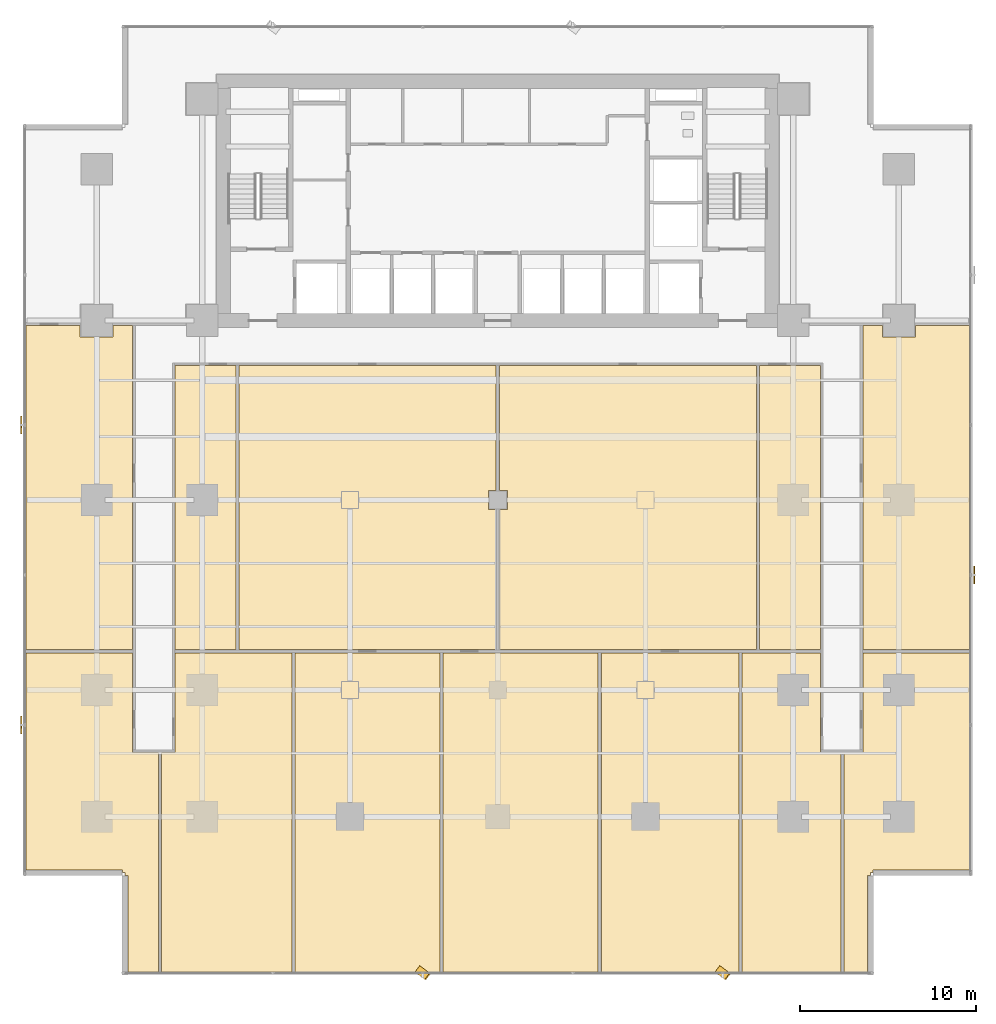
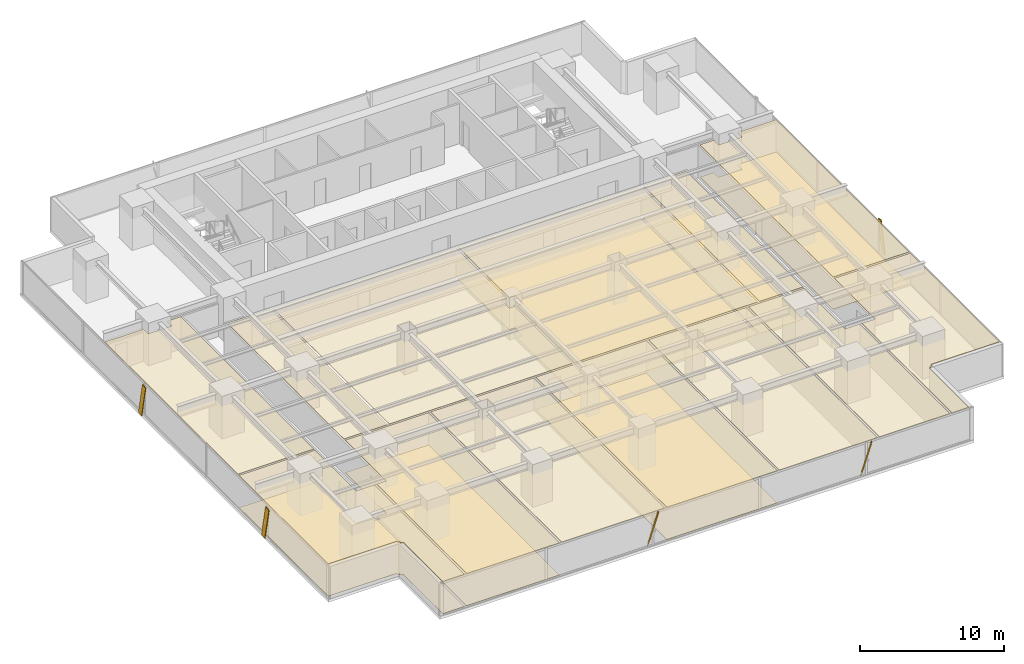
# One storey, part 30 of 34: 19 coverings, 5 shading devices.
"""IFC4 building model written with IfcOpenShell, lengths in metres."""

import ifcopenshell
import ifcopenshell.guid

model = None  # the IFC model being written
_history = None  # IfcOwnerHistory: only IFC2X3 demands one
_inside = {}  # id of a spatial element -> (the spatial element, [elements in it])
_under = {}  # id of a project, library or spatial element -> (it, [spatial elements below it])
_declared = {}  # id of a project -> (the project, [libraries it declares])
_typed = {}  # id of a type object -> (the type object, [elements of that type])
_made_of = {}  # id of a material, layer set ... -> (it, [elements and type objects made of it])


def new_model(schema):
    """Start an empty IFC model of exactly this schema.

    Asked for "IFC4X3", IfcOpenShell would pick the latest addendum, in which some entities
    have other attributes; the version numbers below select the first issue.
    IFC2X3 requires an IfcOwnerHistory on every rooted entity: one is made here for all.
    """
    global model, _history
    if schema == "IFC4X3":
        model = ifcopenshell.file(schema_version=(4, 3, 0, 0))
    else:
        model = ifcopenshell.file(schema=schema)
    _inside.clear()
    _under.clear()
    _declared.clear()
    _typed.clear()
    _made_of.clear()
    _history = None
    if model.schema == "IFC2X3":
        org = make("IfcOrganization", Name="unknown")
        user = make(
            "IfcPersonAndOrganization",
            ThePerson=make("IfcPerson", FamilyName="unknown"),
            TheOrganization=org,
        )
        app = make(
            "IfcApplication",
            ApplicationDeveloper=org,
            Version="unknown",
            ApplicationFullName="unknown",
            ApplicationIdentifier="unknown",
        )
        _history = make(
            "IfcOwnerHistory",
            OwningUser=user,
            OwningApplication=app,
            ChangeAction="ADDED",
            CreationDate=0,
        )
    return model


def make(cls, **values):
    """One entity of the class cls with the attributes given. An attribute that is None is left unset."""
    return model.create_entity(
        cls, **{name: value for name, value in values.items() if value is not None}
    )


def rooted(cls, **values):
    """An entity with a GlobalId (a new one), such as an element, a storey or a relation."""
    return make(cls, GlobalId=ifcopenshell.guid.new(), OwnerHistory=_history, **values)


def si_unit(unit_type, name, prefix=None):
    """IfcSIUnit, for example si_unit("LENGTHUNIT", "METRE", prefix="MILLI")."""
    return make("IfcSIUnit", UnitType=unit_type, Prefix=prefix, Name=name)


def assignment(units):
    """IfcUnitAssignment: the units of a project."""
    return None if units is None else make("IfcUnitAssignment", Units=units)


def point(xyz):
    """IfcCartesianPoint."""
    return None if xyz is None else make("IfcCartesianPoint", Coordinates=xyz)


def direction(xyz):
    """IfcDirection."""
    return None if xyz is None else make("IfcDirection", DirectionRatios=xyz)


def frame(location, z_axis=None, x_axis=None):
    """IfcAxis2Placement3D, a coordinate frame: its origin and axes. An axis left out is left unset."""
    return make(
        "IfcAxis2Placement3D",
        Location=point(location),
        Axis=direction(z_axis),
        RefDirection=direction(x_axis),
    )


def frame_2d(location, x_axis=None):
    """IfcAxis2Placement2D, a coordinate frame in the plane: its origin and x axis."""
    return make(
        "IfcAxis2Placement2D", Location=point(location), RefDirection=direction(x_axis)
    )


def origin():
    """The frame at (0, 0, 0) with its axes left unset."""
    return frame((0.0, 0.0, 0.0))


def origin_2d():
    """The frame at (0, 0) in the plane with its x axis left unset."""
    return frame_2d((0.0, 0.0))


def place(relative_to, where):
    """IfcLocalPlacement: puts the frame where relative to a parent placement (None: the world)."""
    return make(
        "IfcLocalPlacement", PlacementRelTo=relative_to, RelativePlacement=where
    )


def context(
    kind, dimensions, precision=None, world=None, true_north=None, identifier=None
):
    """IfcGeometricRepresentationContext, for example the 3D "Model" context."""
    return make(
        "IfcGeometricRepresentationContext",
        ContextIdentifier=identifier,
        ContextType=kind,
        CoordinateSpaceDimension=dimensions,
        Precision=precision,
        WorldCoordinateSystem=world,
        TrueNorth=true_north,
    )


def subcontext(parent, identifier, kind, view, scale=None):
    """IfcGeometricRepresentationSubContext, for example "Body" below "Model"."""
    return make(
        "IfcGeometricRepresentationSubContext",
        ContextIdentifier=identifier,
        ContextType=kind,
        ParentContext=parent,
        TargetScale=scale,
        TargetView=view,
    )


def project(units=None, contexts=None):
    """IfcProject with its units and contexts."""
    return rooted(
        "IfcProject",
        Name="project",
        RepresentationContexts=contexts,
        UnitsInContext=assignment(units),
    )


def spatial(cls, under=None, at=None, **own):
    """A site, building, storey or space (cls), placed at a placement, below another one or the project."""
    s = rooted(cls, ObjectPlacement=at, **own)
    if under is not None:
        _under.setdefault(under.id(), (under, []))[1].append(s)
    return s


def polyline(points):
    """IfcPolyline through the points."""
    return make("IfcPolyline", Points=[point(p) for p in points])


def profile(cls, at=None, kind="AREA", **sizes):
    """A parametric profile (cls). Its sizes go by their IFC names, for example OverallWidth=200.0."""
    return make(cls, ProfileType=kind, Position=at, **sizes)


def rectangle(**sizes):
    """IfcRectangleProfileDef."""
    return profile("IfcRectangleProfileDef", **sizes)


def outline(outer, holes=None, kind="AREA"):
    """IfcArbitraryClosedProfileDef: a profile drawn as a closed curve; with holes, ...WithVoids."""
    if holes is None:
        return make("IfcArbitraryClosedProfileDef", ProfileType=kind, OuterCurve=outer)
    return make(
        "IfcArbitraryProfileDefWithVoids",
        ProfileType=kind,
        OuterCurve=outer,
        InnerCurves=holes,
    )


def extrude(swept, where, along, depth):
    """IfcExtrudedAreaSolid: the profile swept, set in the frame where, extruded along a direction by depth."""
    return make(
        "IfcExtrudedAreaSolid",
        SweptArea=swept,
        Position=where,
        ExtrudedDirection=direction(along),
        Depth=depth,
    )


def shape(context_of_items, identifier, shape_type, items):
    """IfcShapeRepresentation: the items that make up one representation, for example the "Body"."""
    return make(
        "IfcShapeRepresentation",
        ContextOfItems=context_of_items,
        RepresentationIdentifier=identifier,
        RepresentationType=shape_type,
        Items=items,
    )


def source(mapping_origin, context_of_items, identifier, shape_type, items):
    """IfcRepresentationMap: a shape defined once, which mapped items show again and again."""
    return make(
        "IfcRepresentationMap",
        MappingOrigin=mapping_origin,
        MappedRepresentation=shape(context_of_items, identifier, shape_type, items),
    )


def transform(
    local_origin,
    x_axis=None,
    y_axis=None,
    z_axis=None,
    scale=None,
    scale2=None,
    scale3=None,
    uniform=True,
):
    """IfcCartesianTransformationOperator3D, or its non-uniform kind. x_axis, y_axis, z_axis: its Axis1, 2, 3."""
    if uniform:
        return make(
            "IfcCartesianTransformationOperator3D",
            Axis1=direction(x_axis),
            Axis2=direction(y_axis),
            LocalOrigin=point(local_origin),
            Scale=scale,
            Axis3=direction(z_axis),
        )
    return make(
        "IfcCartesianTransformationOperator3DnonUniform",
        Axis1=direction(x_axis),
        Axis2=direction(y_axis),
        LocalOrigin=point(local_origin),
        Scale=scale,
        Axis3=direction(z_axis),
        Scale2=scale2,
        Scale3=scale3,
    )


def mapped(mapping_source, mapping_target):
    """IfcMappedItem: shows the shape of a source again, moved by a transform."""
    return make(
        "IfcMappedItem", MappingSource=mapping_source, MappingTarget=mapping_target
    )


def material(Name=None, Category=None):
    """IfcMaterial."""
    return make("IfcMaterial", Name=Name, Category=Category)


def layer(
    of_material, thickness, ventilated=None, Name=None, Category=None, Priority=None
):
    """IfcMaterialLayer: one layer of a wall or slab, of a material (None: an air gap)."""
    return make(
        "IfcMaterialLayer",
        Material=of_material,
        LayerThickness=thickness,
        IsVentilated=ventilated,
        Name=Name,
        Category=Category,
        Priority=Priority,
    )


def layer_set(layers, Name=None):
    """IfcMaterialLayerSet."""
    return make("IfcMaterialLayerSet", MaterialLayers=layers, LayerSetName=Name)


def material_profile(
    of_material, cross_section, Name=None, Category=None, Priority=None
):
    """IfcMaterialProfile: a cross section and its material."""
    return make(
        "IfcMaterialProfile",
        Name=Name,
        Material=of_material,
        Profile=cross_section,
        Priority=Priority,
        Category=Category,
    )


def profile_set(profiles, Name=None, composite=None):
    """IfcMaterialProfileSet."""
    return make(
        "IfcMaterialProfileSet",
        Name=Name,
        MaterialProfiles=profiles,
        CompositeProfile=composite,
    )


def made_of(thing, what):
    """Note that an element or type object is made of a material, layer set ...; save() writes the relation."""
    if what is not None:
        _made_of.setdefault(what.id(), (what, []))[1].append(thing)
    return thing


def type_object(cls, material=None, **own):
    """A type object (cls), such as IfcWallType, which elements share."""
    return made_of(rooted(cls, **own), material)


def element(
    cls,
    number,
    at=None,
    inside=None,
    cuts=None,
    type_object=None,
    material=None,
    context=None,
    identifier="Body",
    shape_type=None,
    held_by="IfcProductDefinitionShape",
    body=None,
    shapes=None,
    **own,
):
    """One element of the class cls, such as IfcWall. Its Tag is "e" and its number.

    at: its placement. inside: the storey or other place that contains it. cuts: it is an
    opening in that element (IfcRelVoidsElement). A single representation is given by context,
    identifier, shape_type and body (its items); several are given by shapes. held_by: the class
    of the entity that holds the representations. save() writes the other relations.
    """
    e = rooted(cls, Tag="e%d" % number, ObjectPlacement=at, **own)
    if body is not None:
        shapes = [shape(context, identifier, shape_type, body)]
    if shapes is not None:
        e.Representation = make(held_by, Representations=shapes)
    if inside is not None:
        _inside.setdefault(inside.id(), (inside, []))[1].append(e)
    if cuts is not None:
        rooted(
            "IfcRelVoidsElement", RelatingBuildingElement=cuts, RelatedOpeningElement=e
        )
    if type_object is not None:
        _typed.setdefault(type_object.id(), (type_object, []))[1].append(e)
    return made_of(e, material)


def aggregate(whole, parts):
    """IfcRelAggregates: a whole, such as a stair, and the parts it consists of."""
    return rooted("IfcRelAggregates", RelatingObject=whole, RelatedObjects=parts)


def save(model, path):
    """Write the relations noted so far, then the file.

    IfcRelAggregates (storeys below a building ...), IfcRelContainedInSpatialStructure (elements
    in a storey), IfcRelDefinesByType, IfcRelAssociatesMaterial and IfcRelDeclares: one each for
    every whole, place, type object, material and project.
    """
    for whole, parts in _under.values():
        aggregate(whole, parts)
    for where, things in _inside.values():
        rooted(
            "IfcRelContainedInSpatialStructure",
            RelatedElements=things,
            RelatingStructure=where,
        )
    for kind, things in _typed.values():
        rooted("IfcRelDefinesByType", RelatedObjects=things, RelatingType=kind)
    for what, things in _made_of.values():
        rooted("IfcRelAssociatesMaterial", RelatedObjects=things, RelatingMaterial=what)
    for by, libraries in _declared.values():
        rooted("IfcRelDeclares", RelatingContext=by, RelatedDefinitions=libraries)
    model.write(path)


model = new_model("IFC4")

# Units and contexts
model_context = context("Model", 3, precision=1e-05, world=origin(), true_north=direction((0.0, 1.0)))
body_context = subcontext(model_context, "Body", "Model", "MODEL_VIEW")
ifc_project = project(units=[si_unit("LENGTHUNIT", "METRE"), si_unit("AREAUNIT", "SQUARE_METRE"), si_unit("VOLUMEUNIT", "CUBIC_METRE"), si_unit("PLANEANGLEUNIT", "RADIAN"), si_unit("MASSUNIT", "GRAM", prefix="KILO")], contexts=[model_context])

# Site, building, storey
site_placement = place(None, origin())
site = spatial("IfcSite", under=ifc_project, at=site_placement, CompositionType="ELEMENT")
building_placement = place(site_placement, origin())
building = spatial("IfcBuilding", under=site, at=building_placement, Name="Sumidabori Civic Tower", CompositionType="ELEMENT")
storey_placement = place(building_placement, frame((0.0, 0.0, 34.39990234375)))
storey = spatial("IfcBuildingStorey", under=building, at=storey_placement, Name="L08", CompositionType="ELEMENT", Elevation=34.39990234375)

# Coverings
ifc_material_1 = material(Name="Perforated Timber Acoustic Ceiling", Category="wood")
ifc_layer_1 = layer(ifc_material_1, 0.044921875, Name="Perforated Timber Acoustic Ceiling")
ifc_layer_set_1 = layer_set([ifc_layer_1], Name="Perforated Timber Acoustic Ceiling")
covering_type_1 = type_object("IfcCoveringType", Name="CV-CEIL-AC2", PredefinedType="CEILING", material=ifc_layer_set_1)
covering_1_placement = place(storey_placement, frame((0.0, 0.0, 2.710205078125)))
element("IfcCovering", 1, at=covering_1_placement, inside=storey, type_object=covering_type_1, Name="Room Acoustic Ceiling L08-02", PredefinedType="CEILING", context=body_context, shape_type="SweptSolid", body=[
    extrude(outline(polyline([(-26.830078125, -8.512451171875), (-26.830078125, 9.91259765625), (-23.739990234375, 9.91259765625), (-23.739990234375, 9.260009765625), (-21.860107421875, 9.260009765625), (-21.860107421875, 9.91259765625), (-20.7548828125, 9.91259765625), (-20.7548828125, -8.512451171875), (-26.830078125, -8.512451171875)])), origin(), (0.0, 0.0, 1.0), 0.044921875),
])
covering_2_placement = place(storey_placement, frame((0.0, 0.0, 2.710205078125)))
element("IfcCovering", 2, at=covering_2_placement, inside=storey, type_object=covering_type_1, Name="Room Acoustic Ceiling L08-03", PredefinedType="CEILING", context=body_context, shape_type="SweptSolid", body=[
    extrude(outline(polyline([(20.7548828125, 9.91259765625), (21.860107421875, 9.91259765625), (21.860107421875, 9.260009765625), (23.739990234375, 9.260009765625), (23.739990234375, 9.91259765625), (26.830078125, 9.91259765625), (26.830078125, -8.512451171875), (20.7548828125, -8.512451171875), (20.7548828125, 9.91259765625)])), origin(), (0.0, 0.0, 1.0), 0.044921875),
])
covering_3_placement = place(storey_placement, frame((0.0, 0.0, 2.710205078125)))
element("IfcCovering", 3, at=covering_3_placement, inside=storey, type_object=covering_type_1, Name="Room Acoustic Ceiling L08-04", PredefinedType="CEILING", context=body_context, shape_type="SweptSolid", body=[
    extrude(outline(polyline([(-14.71240234375, 7.64501953125), (-0.08740234375, 7.64501953125), (-0.08740234375, 0.5400390625), (-0.5400390625, 0.5400390625), (-0.5400390625, -0.5400390625), (-0.08740234375, -0.5400390625), (-0.08740234375, -8.512451171875), (-14.71240234375, -8.512451171875), (-14.71240234375, 7.64501953125)])), origin(), (0.0, 0.0, 1.0), 0.044921875),
])
covering_4_placement = place(storey_placement, frame((0.0, 0.0, 2.710205078125)))
element("IfcCovering", 4, at=covering_4_placement, inside=storey, type_object=covering_type_1, Name="Room Acoustic Ceiling L08-05", PredefinedType="CEILING", context=body_context, shape_type="SweptSolid", body=[
    extrude(outline(polyline([(0.08740234375, -0.5400390625), (0.5400390625, -0.5400390625), (0.5400390625, 0.5400390625), (0.08740234375, 0.5400390625), (0.08740234375, 7.64501953125), (14.71240234375, 7.64501953125), (14.71240234375, -8.512451171875), (0.08740234375, -8.512451171875), (0.08740234375, -0.5400390625)])), origin(), (0.0, 0.0, 1.0), 0.044921875),
])
covering_5_placement = place(storey_placement, frame((0.0, 0.0, 2.710205078125)))
element("IfcCovering", 5, at=covering_5_placement, inside=storey, type_object=covering_type_1, Name="Room Acoustic Ceiling L08-06", PredefinedType="CEILING", context=body_context, shape_type="SweptSolid", body=[
    extrude(outline(polyline([(-18.344970703125, 7.64501953125), (-14.887451171875, 7.64501953125), (-14.887451171875, -8.512451171875), (-18.344970703125, -8.512451171875), (-18.344970703125, 7.64501953125)])), origin(), (0.0, 0.0, 1.0), 0.044921875),
])
covering_6_placement = place(storey_placement, frame((0.0, 0.0, 2.710205078125)))
element("IfcCovering", 6, at=covering_6_placement, inside=storey, type_object=covering_type_1, Name="Room Acoustic Ceiling L08-07", PredefinedType="CEILING", context=body_context, shape_type="SweptSolid", body=[
    extrude(outline(polyline([(14.887451171875, 7.64501953125), (18.344970703125, 7.64501953125), (18.344970703125, -8.512451171875), (14.887451171875, -8.512451171875), (14.887451171875, 7.64501953125)])), origin(), (0.0, 0.0, 1.0), 0.044921875),
])
covering_7_placement = place(storey_placement, frame((0.0, 0.0, 2.710205078125)))
element("IfcCovering", 7, at=covering_7_placement, inside=storey, type_object=covering_type_1, Name="Room Acoustic Ceiling L08-08", PredefinedType="CEILING", context=body_context, shape_type="SweptSolid", body=[
    extrude(outline(polyline([(20.73974609375, -14.35498046875), (20.7548828125, -14.347412109375), (20.7548828125, -8.6875), (26.830078125, -8.6875), (26.830078125, -21.02197265625), (21.342041015625, -21.02197265625), (21.342041015625, -21.179931640625), (21.179931640625, -21.179931640625), (21.179931640625, -21.342041015625), (21.02197265625, -21.342041015625), (21.02197265625, -26.830078125), (19.6875, -26.830078125), (19.6875, -14.35498046875), (20.73974609375, -14.35498046875)])), origin(), (0.0, 0.0, 1.0), 0.044921875),
])
covering_8_placement = place(storey_placement, frame((0.0, 0.0, 2.710205078125)))
element("IfcCovering", 8, at=covering_8_placement, inside=storey, type_object=covering_type_1, Name="Room Acoustic Ceiling L08-09", PredefinedType="CEILING", context=body_context, shape_type="SweptSolid", body=[
    extrude(outline(polyline([(-26.830078125, -21.02197265625), (-26.830078125, -8.6875), (-20.7548828125, -8.6875), (-20.7548828125, -14.347412109375), (-20.73974609375, -14.35498046875), (-19.28759765625, -14.35498046875), (-19.28759765625, -26.830078125), (-21.02197265625, -26.830078125), (-21.02197265625, -21.342041015625), (-21.179931640625, -21.342041015625), (-21.179931640625, -21.179931640625), (-21.342041015625, -21.179931640625), (-21.342041015625, -21.02197265625), (-26.830078125, -21.02197265625)])), origin(), (0.0, 0.0, 1.0), 0.044921875),
])
covering_9_placement = place(storey_placement, frame((0.0, 0.0, 2.710205078125)))
element("IfcCovering", 9, at=covering_9_placement, inside=storey, type_object=covering_type_1, Name="Room Acoustic Ceiling L08-10", PredefinedType="CEILING", context=body_context, shape_type="SweptSolid", body=[
    extrude(outline(polyline([(-3.28759765625, -26.830078125), (-11.512451171875, -26.830078125), (-11.512451171875, -8.6875), (-3.28759765625, -8.6875), (-3.28759765625, -26.830078125)])), origin(), (0.0, 0.0, 1.0), 0.044921875),
])
covering_10_placement = place(storey_placement, frame((0.0, 0.0, 2.710205078125)))
element("IfcCovering", 10, at=covering_10_placement, inside=storey, type_object=covering_type_1, Name="Room Acoustic Ceiling L08-11", PredefinedType="CEILING", context=body_context, shape_type="SweptSolid", body=[
    extrude(outline(polyline([(5.71240234375, -26.830078125), (-3.112548828125, -26.830078125), (-3.112548828125, -8.6875), (5.71240234375, -8.6875), (5.71240234375, -26.830078125)])), origin(), (0.0, 0.0, 1.0), 0.044921875),
])
covering_11_placement = place(storey_placement, frame((0.0, 0.0, 2.710205078125)))
element("IfcCovering", 11, at=covering_11_placement, inside=storey, type_object=covering_type_1, Name="Room Acoustic Ceiling L08-12", PredefinedType="CEILING", context=body_context, shape_type="SweptSolid", body=[
    extrude(outline(polyline([(13.71240234375, -26.830078125), (5.887451171875, -26.830078125), (5.887451171875, -8.6875), (13.71240234375, -8.6875), (13.71240234375, -26.830078125)])), origin(), (0.0, 0.0, 1.0), 0.044921875),
])
covering_12_placement = place(storey_placement, frame((0.0, 0.0, 2.710205078125)))
element("IfcCovering", 12, at=covering_12_placement, inside=storey, type_object=covering_type_1, Name="Room Acoustic Ceiling L08-13", PredefinedType="CEILING", context=body_context, shape_type="SweptSolid", body=[
    extrude(outline(polyline([(-18.344970703125, -14.35498046875), (-18.344970703125, -8.6875), (-11.6875, -8.6875), (-11.6875, -26.830078125), (-19.112548828125, -26.830078125), (-19.112548828125, -14.35498046875), (-18.344970703125, -14.35498046875)])), origin(), (0.0, 0.0, 1.0), 0.044921875),
])
covering_13_placement = place(storey_placement, frame((0.0, 0.0, 2.710205078125)))
element("IfcCovering", 13, at=covering_13_placement, inside=storey, type_object=covering_type_1, Name="Room Acoustic Ceiling L08-14", PredefinedType="CEILING", context=body_context, shape_type="SweptSolid", body=[
    extrude(outline(polyline([(18.344970703125, -14.35498046875), (19.512451171875, -14.35498046875), (19.512451171875, -26.830078125), (13.887451171875, -26.830078125), (13.887451171875, -8.6875), (18.344970703125, -8.6875), (18.344970703125, -14.35498046875)])), origin(), (0.0, 0.0, 1.0), 0.044921875),
])
ifc_material_2 = material(Name="Honed Terrazzo Tile Flooring")
ifc_layer_2 = layer(ifc_material_2, 0.030029296875, Name="Honed Terrazzo Tile Flooring")
ifc_layer_set_2 = layer_set([ifc_layer_2], Name="Honed Terrazzo Tile Flooring")
covering_type_2 = type_object("IfcCoveringType", Name="CV-FLR-TER", PredefinedType="FLOORING", material=ifc_layer_set_2)
covering_14_placement = place(storey_placement, origin())
element("IfcCovering", 14, at=covering_14_placement, inside=storey, type_object=covering_type_2, Name="Room Terrazzo Floor L08-03", PredefinedType="FLOORING", context=body_context, shape_type="SweptSolid", body=[
    extrude(outline(polyline([(20.7548828125, 9.91259765625), (21.860107421875, 9.91259765625), (21.860107421875, 9.260009765625), (23.739990234375, 9.260009765625), (23.739990234375, 9.91259765625), (26.830078125, 9.91259765625), (26.830078125, -8.512451171875), (20.7548828125, -8.512451171875), (20.7548828125, 9.91259765625)])), origin(), (0.0, 0.0, 1.0), 0.030029296875),
])
covering_15_placement = place(storey_placement, origin())
element("IfcCovering", 15, at=covering_15_placement, inside=storey, type_object=covering_type_2, Name="Room Terrazzo Floor L08-05", PredefinedType="FLOORING", context=body_context, shape_type="SweptSolid", body=[
    extrude(outline(polyline([(0.08740234375, -0.5400390625), (0.5400390625, -0.5400390625), (0.5400390625, 0.5400390625), (0.08740234375, 0.5400390625), (0.08740234375, 7.64501953125), (14.71240234375, 7.64501953125), (14.71240234375, -8.512451171875), (0.08740234375, -8.512451171875), (0.08740234375, -0.5400390625)])), origin(), (0.0, 0.0, 1.0), 0.030029296875),
])
covering_16_placement = place(storey_placement, origin())
element("IfcCovering", 16, at=covering_16_placement, inside=storey, type_object=covering_type_2, Name="Room Terrazzo Floor L08-07", PredefinedType="FLOORING", context=body_context, shape_type="SweptSolid", body=[
    extrude(outline(polyline([(14.887451171875, 7.64501953125), (18.344970703125, 7.64501953125), (18.344970703125, -8.512451171875), (14.887451171875, -8.512451171875), (14.887451171875, 7.64501953125)])), origin(), (0.0, 0.0, 1.0), 0.030029296875),
])
covering_17_placement = place(storey_placement, origin())
element("IfcCovering", 17, at=covering_17_placement, inside=storey, type_object=covering_type_2, Name="Room Terrazzo Floor L08-09", PredefinedType="FLOORING", context=body_context, shape_type="SweptSolid", body=[
    extrude(outline(polyline([(-26.830078125, -21.02197265625), (-26.830078125, -8.6875), (-20.7548828125, -8.6875), (-20.7548828125, -14.347412109375), (-20.73974609375, -14.35498046875), (-19.28759765625, -14.35498046875), (-19.28759765625, -26.830078125), (-21.02197265625, -26.830078125), (-21.02197265625, -21.342041015625), (-21.179931640625, -21.342041015625), (-21.179931640625, -21.179931640625), (-21.342041015625, -21.179931640625), (-21.342041015625, -21.02197265625), (-26.830078125, -21.02197265625)])), origin(), (0.0, 0.0, 1.0), 0.030029296875),
])
covering_18_placement = place(storey_placement, origin())
element("IfcCovering", 18, at=covering_18_placement, inside=storey, type_object=covering_type_2, Name="Room Terrazzo Floor L08-11", PredefinedType="FLOORING", context=body_context, shape_type="SweptSolid", body=[
    extrude(outline(polyline([(5.71240234375, -26.830078125), (-3.112548828125, -26.830078125), (-3.112548828125, -8.6875), (5.71240234375, -8.6875), (5.71240234375, -26.830078125)])), origin(), (0.0, 0.0, 1.0), 0.030029296875),
])
covering_19_placement = place(storey_placement, origin())
element("IfcCovering", 19, at=covering_19_placement, inside=storey, type_object=covering_type_2, Name="Room Terrazzo Floor L08-13", PredefinedType="FLOORING", context=body_context, shape_type="SweptSolid", body=[
    extrude(outline(polyline([(-18.344970703125, -14.35498046875), (-18.344970703125, -8.6875), (-11.6875, -8.6875), (-11.6875, -26.830078125), (-19.112548828125, -26.830078125), (-19.112548828125, -14.35498046875), (-18.344970703125, -14.35498046875)])), origin(), (0.0, 0.0, 1.0), 0.030029296875),
])

# Shading devices
ifc_material_3 = material(Name="Anodised Bronze Aluminium AW-6063-T6", Category="aluminium")
ifc_material_profile = material_profile(ifc_material_3, rectangle(XDim=0.06005859375, YDim=0.449951171875, at=origin_2d()), Name="BRONZE FIN 450x60")
ifc_profile_set = profile_set([ifc_material_profile], Name="Anodised Bronze Aluminium AW-6063-T6")
shading_device_type = type_object("IfcShadingDeviceType", Name="SH-FIN-450", PredefinedType="USERDEFINED", material=ifc_profile_set)
shared_shape_1 = source(origin(), body_context, "Body", "SweptSolid", [
    extrude(rectangle(XDim=0.06005859375, YDim=0.449951171875, at=origin_2d()), origin(), (0.0, 0.0, 1.0), 2.77001953125),
])
for number, where, z_axis, x_axis, name in (
    (20, (-4.5439453125, -26.669921875, 0.02001953125), (0.202178689694, -0.151678084117, 0.967531671953), (0.773944359394, -0.580626958377, -0.252749804684), "Bronze Anodised Diagonal Fin L08-02"),
    (21, (12.511962890625, -26.669921875, 0.02001953125), (0.202178689694, -0.151678084117, 0.967531671953), (0.773944359394, -0.580626958377, -0.252749804684), "Bronze Anodised Diagonal Fin L08-04"),
):
    element("IfcShadingDevice", number, at=place(storey_placement, frame(where, z_axis=z_axis, x_axis=x_axis)), inside=storey, type_object=shading_device_type, Name=name, ObjectType="FIN", PredefinedType="USERDEFINED", context=body_context, shape_type="MappedRepresentation", body=[
        mapped(shared_shape_1, transform((0.0, 0.0, 0.0), x_axis=(1.0, 0.0, 0.0), y_axis=(0.0, 1.0, 0.0), z_axis=(0.0, 0.0, 1.0), scale=1.0)),
    ])
shared_shape_2 = source(origin(), body_context, "Body", "SweptSolid", [
    extrude(rectangle(XDim=0.06005859375, YDim=0.449951171875, at=origin_2d()), origin(), (0.0, 0.0, 1.0), 2.738037109375),
])
for number, where, z_axis, x_axis, name in (
    (22, (27.090087890625, -4.5439453125, 0.02001953125), (0.0, 0.204545289674, 0.97885710115), (-1.0, 0.0, 0.0), "Bronze Anodised Diagonal Fin L08-02"),
    (23, (-27.090087890625, 4.5439453125, 0.02001953125), (0.0, -0.204545289674, 0.97885710115), (-1.0, 0.0, 0.0), "Bronze Anodised Diagonal Fin L08-02"),
    (24, (-27.090087890625, -12.511962890625, 0.02001953125), (0.0, -0.204545289674, 0.97885710115), (-1.0, 0.0, 0.0), "Bronze Anodised Diagonal Fin L08-04"),
):
    element("IfcShadingDevice", number, at=place(storey_placement, frame(where, z_axis=z_axis, x_axis=x_axis)), inside=storey, type_object=shading_device_type, Name=name, ObjectType="FIN", PredefinedType="USERDEFINED", context=body_context, shape_type="MappedRepresentation", body=[
        mapped(shared_shape_2, transform((0.0, 0.0, 0.0), x_axis=(1.0, 0.0, 0.0), y_axis=(0.0, 1.0, 0.0), z_axis=(0.0, 0.0, 1.0), scale=1.0)),
    ])

save(model, "model.ifc")
